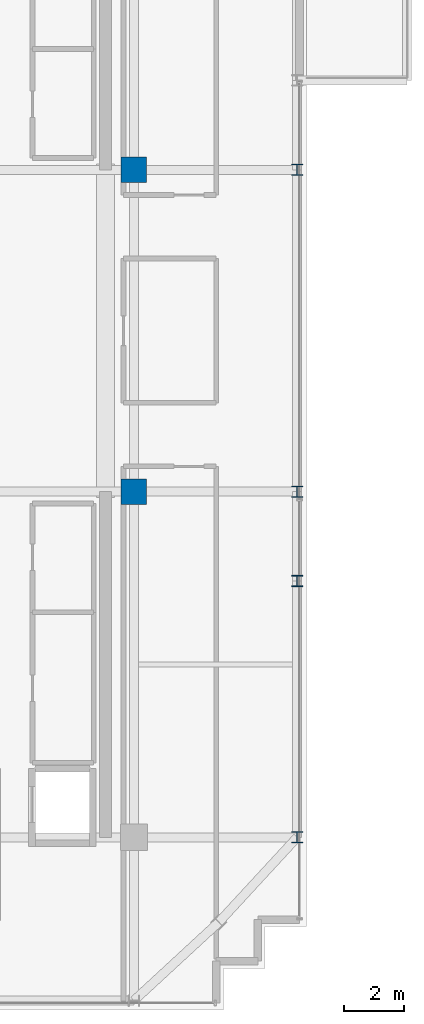
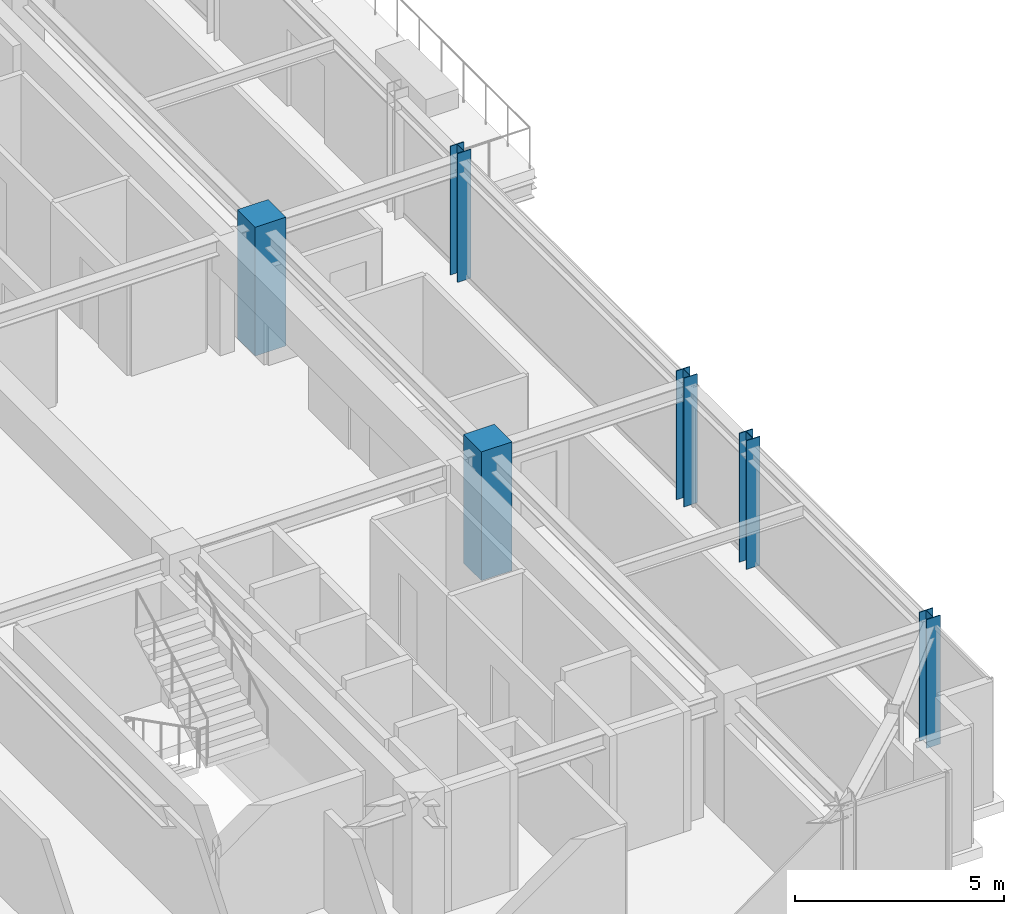
# One storey, part 2 of 33: 6 columns.
"""IFC4 building model written with IfcOpenShell, lengths in metres."""

from ifc_helpers import new_model, si_unit, direction, frame, origin, origin_2d, place, context, subcontext, project, spatial, rectangle, i_section, extrude, source, transform, mapped, material, material_profile, profile_set, type_object, element, save


model = new_model("IFC4")

# Units and contexts
model_context = context("Model", 3, precision=1e-05, world=origin(), true_north=direction((0.0, 1.0)))
body_context = subcontext(model_context, "Body", "Model", "MODEL_VIEW")
ifc_project = project(units=[si_unit("LENGTHUNIT", "METRE"), si_unit("AREAUNIT", "SQUARE_METRE"), si_unit("VOLUMEUNIT", "CUBIC_METRE"), si_unit("PLANEANGLEUNIT", "RADIAN"), si_unit("MASSUNIT", "GRAM", prefix="KILO")], contexts=[model_context])

# Site, building, storey
site_placement = place(None, origin())
site = spatial("IfcSite", under=ifc_project, at=site_placement, CompositionType="ELEMENT")
building_placement = place(site_placement, origin())
building = spatial("IfcBuilding", under=site, at=building_placement, Name="Nahalor Promenade Grand Hotel", CompositionType="ELEMENT")
storey_placement = place(building_placement, frame((0.0, 0.0, 315.75)))
storey = spatial("IfcBuildingStorey", under=building, at=storey_placement, Name="L81", CompositionType="ELEMENT", Elevation=315.75)

# Columns
ifc_material_1 = material(Name="Concrete B-70 (C60/75)", Category="concrete")
ifc_material_profile_1 = material_profile(ifc_material_1, rectangle(XDim=0.85, YDim=0.85, at=origin_2d()), Name="RC 850x850")
ifc_profile_set_1 = profile_set([ifc_material_profile_1], Name="Concrete B-70 (C60/75)")
column_type_1 = type_object("IfcColumnType", Name="Col-Pilaster-850", PredefinedType="PILASTER", material=ifc_profile_set_1)
shared_shape_1 = source(origin(), body_context, "Body", "SweptSolid", [
    extrude(rectangle(XDim=0.85, YDim=0.85, at=origin_2d()), origin(), (0.0, 0.0, 1.0), 3.7548828125),
])
for number, where, z_axis, x_axis, name in (
    (1, (17.0, -5.39990234375, 0.0), (0.0, 0.0, 1.0), (1.0, 0.0, 0.0), "COL-L81-I51"),
    (2, (17.0, 5.39990234375, 0.0), (0.0, 0.0, 1.0), (1.0, 0.0, 0.0), "COL-L81-I52"),
):
    element("IfcColumn", number, at=place(storey_placement, frame(where, z_axis=z_axis, x_axis=x_axis)), inside=storey, type_object=column_type_1, Name=name, PredefinedType="PILASTER", context=body_context, shape_type="MappedRepresentation", body=[
        mapped(shared_shape_1, transform((0.0, 0.0, 0.0), scale=1.0)),
    ])
ifc_material_2 = material(Name="Steel S355JR", Category="steel")
ifc_material_profile_2 = material_profile(ifc_material_2, i_section(OverallWidth=0.374, OverallDepth=0.374, WebThickness=0.0144, FlangeThickness=0.0229, at=origin_2d()), Name="HD 360x262")
ifc_profile_set_2 = profile_set([ifc_material_profile_2], Name="Steel S355JR")
column_type_2 = type_object("IfcColumnType", Name="Col-Steel-HD262", PredefinedType="COLUMN", material=ifc_profile_set_2)
shared_shape_2 = source(origin(), body_context, "Body", "SweptSolid", [
    extrude(i_section(OverallWidth=0.374, OverallDepth=0.374, WebThickness=0.0144, FlangeThickness=0.0229, at=origin_2d()), origin(), (0.0, 0.0, 1.0), 3.7548828125),
])
for number, where, z_axis, x_axis, name in (
    (3, (22.47998046875, -17.0, 0.0), (0.0, 0.0, 1.0), (1.0, 0.0, 0.0), "COL-L81-PW-E0"),
    (4, (22.47998046875, -8.39990234375, 0.0), (0.0, 0.0, 1.0), (1.0, 0.0, 0.0), "COL-L81-PW-E1"),
    (5, (22.47998046875, -5.39990234375, 0.0), (0.0, 0.0, 1.0), (1.0, 0.0, 0.0), "COL-L81-PW-E2"),
    (6, (22.47998046875, 5.39990234375, 0.0), (0.0, 0.0, 1.0), (1.0, 0.0, 0.0), "COL-L81-PW-E3"),
):
    element("IfcColumn", number, at=place(storey_placement, frame(where, z_axis=z_axis, x_axis=x_axis)), inside=storey, type_object=column_type_2, Name=name, PredefinedType="COLUMN", context=body_context, shape_type="MappedRepresentation", body=[
        mapped(shared_shape_2, transform((0.0, 0.0, 0.0), scale=1.0)),
    ])

save(model, "model.ifc")
